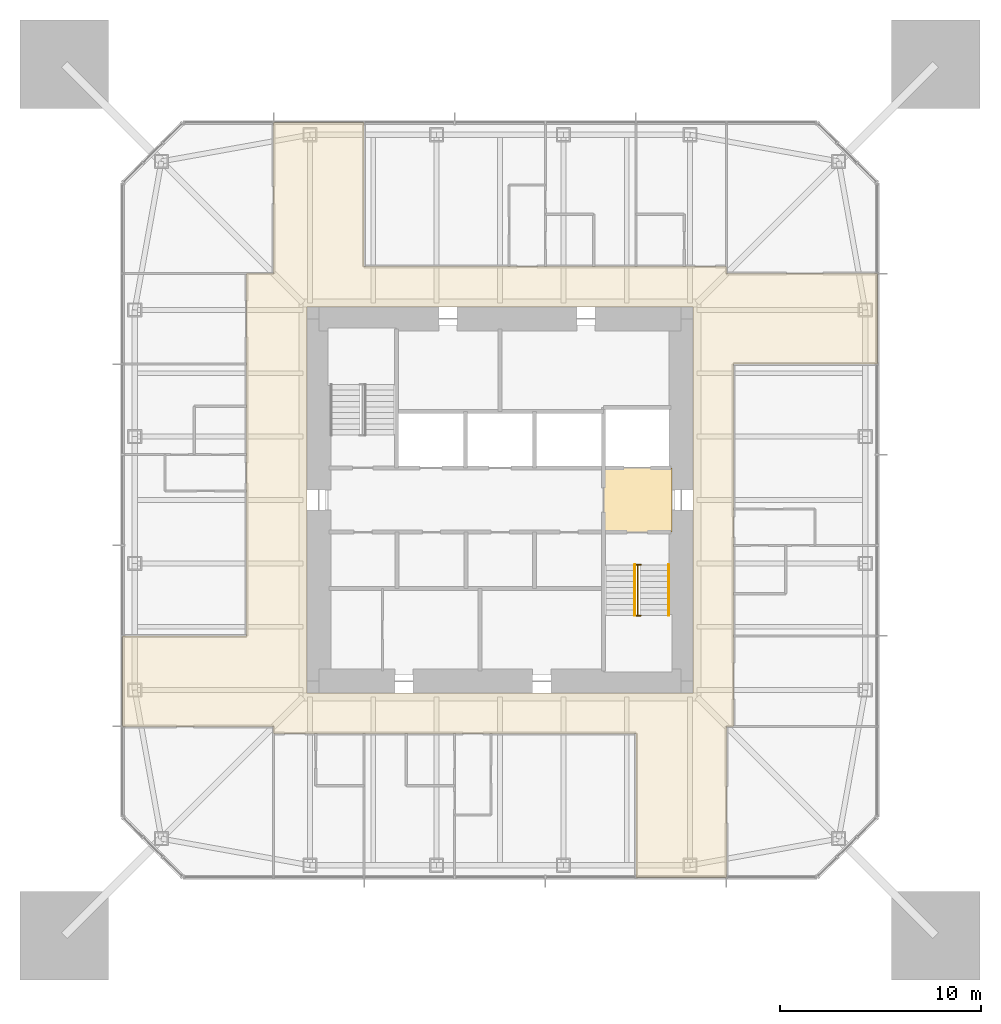
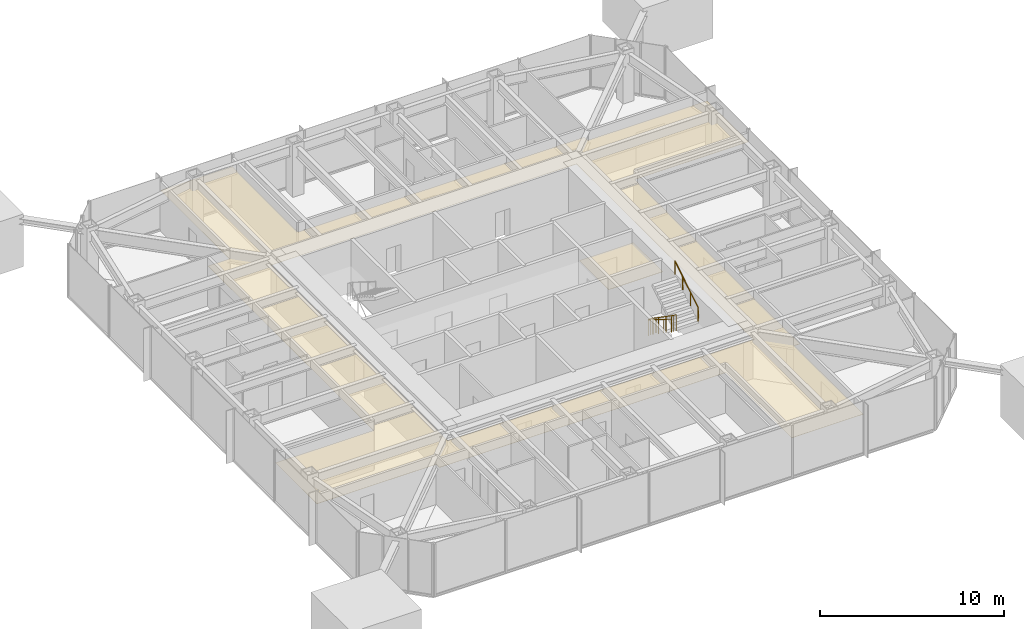
# One storey, part 10 of 11: 3 railings, 2 coverings.
"""IFC4 building model written with IfcOpenShell, lengths in metres."""

from ifc_helpers import new_model, si_unit, direction, frame, origin, origin_2d, place, context, subcontext, project, spatial, polyline, circle, outline, extrude, material, layer, layer_set, constituent, constituent_set, type_object, element, save


model = new_model("IFC4")

# Units and contexts
model_context = context("Model", 3, precision=1e-05, world=origin(), true_north=direction((0.0, 1.0)))
body_context = subcontext(model_context, "Body", "Model", "MODEL_VIEW")
ifc_project = project(units=[si_unit("LENGTHUNIT", "METRE"), si_unit("AREAUNIT", "SQUARE_METRE"), si_unit("VOLUMEUNIT", "CUBIC_METRE"), si_unit("PLANEANGLEUNIT", "RADIAN"), si_unit("MASSUNIT", "GRAM", prefix="KILO")], contexts=[model_context])

# Site, building, storey
site_placement = place(None, origin())
site = spatial("IfcSite", under=ifc_project, at=site_placement, CompositionType="ELEMENT")
building_placement = place(site_placement, origin())
building = spatial("IfcBuilding", under=site, at=building_placement, Name="Iwan Alto Co-Living Towers", CompositionType="ELEMENT")
storey_placement = place(building_placement, frame((0.0, 0.0, 188.0)))
storey = spatial("IfcBuildingStorey", under=building, at=storey_placement, Name="L51", CompositionType="ELEMENT", Elevation=188.0)

# Covering
ifc_material_1 = material(Name="Mineral fibre acoustic tiles on steel grid", Category="steel")
ifc_layer_1 = layer(ifc_material_1, 0.02001953125)
ifc_layer_set_1 = layer_set([ifc_layer_1], Name="ACOUSTIC TILE CEILING 20")
covering_type_1 = type_object("IfcCoveringType", Name="ACOUSTIC TILE CEILING 20", PredefinedType="CEILING", material=ifc_layer_set_1)
covering_1_placement = place(storey_placement, frame((0.0, 0.0, 2.60009765625)))
element("IfcCovering", 1, at=covering_1_placement, inside=storey, type_object=covering_type_1, Name="Ceiling Firefighting lobby L51", PredefinedType="CEILING", context=body_context, shape_type="SweptSolid", body=[
    extrude(outline(polyline([(5.14990234375, -1.60009765625), (5.14990234375, 1.60009765625), (8.550048828125, 1.60009765625), (8.550048828125, -1.60009765625), (5.14990234375, -1.60009765625)])), origin(), (0.0, 0.0, 1.0), 0.02001953125),
])

# Railings
ifc_material_2 = material(Name="Steel ASTM A500 Gr C", Category="steel")
ifc_constituent_1 = constituent(ifc_material_2, Name="Rails and posts", Category="Framing")
ifc_material_3 = material(Name="Steel ASTM A36", Category="steel")
ifc_constituent_2 = constituent(ifc_material_3, Name="Bar infill", Category="Infill")
ifc_constituent_set = constituent_set(constituents=[ifc_constituent_1, ifc_constituent_2], Name="STAIR GUARD 1100")
railing_type_1 = type_object("IfcRailingType", Name="STAIR GUARD 1100", PredefinedType="GUARDRAIL", material=ifc_constituent_set)
railing_1_placement = place(storey_placement, frame((6.85009765625, -3.219970703125, 0.0)))
element("IfcRailing", 2, at=railing_1_placement, inside=storey, type_object=railing_type_1, Name="Stair T1-S2 well guard L51", PredefinedType="GUARDRAIL", context=body_context, shape_type="SweptSolid", body=[
    extrude(circle(Radius=0.02392578125, at=origin_2d()), frame((0.0, 0.0, 1.076171875), z_axis=(0.0, -0.821372036852, 0.570392826987), x_axis=(1.0, 0.0, 0.0)), (0.0, 0.0, 1.0), 3.068115234375),
    extrude(circle(Radius=0.02392578125, at=origin_2d()), frame((-0.150146484375, 0.0, 1.076171875), z_axis=(1.0, 0.0, 0.0), x_axis=(0.0, 1.0, 0.0)), (0.0, 0.0, 1.0), 0.300048828125),
    extrude(circle(Radius=0.02392578125, at=origin_2d()), frame((-0.150146484375, -2.52001953125, 2.826171875), z_axis=(1.0, 0.0, 0.0), x_axis=(0.0, 1.0, 0.0)), (0.0, 0.0, 1.0), 0.300048828125),
    extrude(circle(Radius=0.02099609375, at=origin_2d()), origin(), (0.0, 0.0, 1.0), 1.052001953125),
    extrude(circle(Radius=0.02099609375, at=origin_2d()), frame((0.0, -0.840087890625, 0.583251953125)), (0.0, 0.0, 1.0), 1.052001953125),
    extrude(circle(Radius=0.02099609375, at=origin_2d()), frame((0.0, -1.679931640625, 1.166748046875)), (0.0, 0.0, 1.0), 1.052001953125),
    extrude(circle(Radius=0.02099609375, at=origin_2d()), frame((0.0, -2.52001953125, 1.75)), (0.0, 0.0, 1.0), 1.052001953125),
    extrude(circle(Radius=0.02099609375, at=origin_2d()), frame((-0.150146484375, 0.0, 0.0)), (0.0, 0.0, 1.0), 1.052001953125),
    extrude(circle(Radius=0.02099609375, at=origin_2d()), frame((0.14990234375, 0.0, 0.0)), (0.0, 0.0, 1.0), 1.052001953125),
    extrude(circle(Radius=0.02099609375, at=origin_2d()), frame((-0.150146484375, -2.52001953125, 1.75)), (0.0, 0.0, 1.0), 1.052001953125),
    extrude(circle(Radius=0.02099609375, at=origin_2d()), frame((0.14990234375, -2.52001953125, 1.75)), (0.0, 0.0, 1.0), 1.052001953125),
])
ifc_material_4 = material(Name="Steel ASTM A500 Gr C", Category="steel")
railing_type_2 = type_object("IfcRailingType", Name="STAIR HANDRAIL 900", PredefinedType="HANDRAIL", material=ifc_material_4)
railing_2_placement = place(storey_placement, frame((6.699951171875, -3.219970703125, 0.175048828125)))
element("IfcRailing", 3, at=railing_2_placement, inside=storey, type_object=railing_type_2, Name="Stair T1-S2 handrail 1 L51", PredefinedType="HANDRAIL", context=body_context, shape_type="SweptSolid", body=[
    extrude(circle(Radius=0.02392578125, at=origin_2d()), frame((0.0, 0.0, 0.8759765625), z_axis=(0.0, -0.848007534815, 0.529984170421), x_axis=(1.0, 0.0, 0.0)), (0.0, 0.0, 1.0), 2.9716796875),
    extrude(circle(Radius=0.02099609375, at=origin_2d()), origin(), (0.0, 0.0, 1.0), 0.851806640625),
    extrude(circle(Radius=0.02099609375, at=origin_2d()), frame((0.0, -0.840087890625, 0.52490234375)), (0.0, 0.0, 1.0), 0.851806640625),
    extrude(circle(Radius=0.02099609375, at=origin_2d()), frame((0.0, -1.679931640625, 1.050048828125)), (0.0, 0.0, 1.0), 0.851806640625),
    extrude(circle(Radius=0.02099609375, at=origin_2d()), frame((0.0, -2.52001953125, 1.574951171875)), (0.0, 0.0, 1.0), 0.851806640625),
])
railing_3_placement = place(storey_placement, frame((8.3798828125, -5.739990234375, 1.925048828125)))
element("IfcRailing", 4, at=railing_3_placement, inside=storey, type_object=railing_type_2, Name="Stair T1-S2 handrail 2 L51", PredefinedType="HANDRAIL", context=body_context, shape_type="SweptSolid", body=[
    extrude(circle(Radius=0.02392578125, at=origin_2d()), frame((0.0, 0.0, 0.8759765625), z_axis=(0.0, 0.848007534815, 0.529984170421), x_axis=(-1.0, 0.0, 0.0)), (0.0, 0.0, 1.0), 2.9716796875),
    extrude(circle(Radius=0.02099609375, at=origin_2d()), origin(), (0.0, 0.0, 1.0), 0.851806640625),
    extrude(circle(Radius=0.02099609375, at=origin_2d()), frame((0.0, 0.840087890625, 0.52490234375)), (0.0, 0.0, 1.0), 0.851806640625),
    extrude(circle(Radius=0.02099609375, at=origin_2d()), frame((0.0, 1.679931640625, 1.050048828125)), (0.0, 0.0, 1.0), 0.851806640625),
    extrude(circle(Radius=0.02099609375, at=origin_2d()), frame((0.0, 2.52001953125, 1.574951171875)), (0.0, 0.0, 1.0), 0.851806640625),
])

# Covering
ifc_material_5 = material(Name="Gypsum plasterboard on steel grid", Category="steel")
ifc_layer_2 = layer(ifc_material_5, 0.014892578125)
ifc_layer_set_2 = layer_set([ifc_layer_2], Name="SUSPENDED PLASTERBOARD CEILING 15")
covering_type_2 = type_object("IfcCoveringType", Name="SUSPENDED PLASTERBOARD CEILING 15", PredefinedType="CEILING", material=ifc_layer_set_2)
covering_2_placement = place(storey_placement, frame((0.0, 0.0, 2.60009765625)))
element("IfcCovering", 5, at=covering_2_placement, inside=storey, type_object=covering_type_2, Name="Ceiling Corridor L51", PredefinedType="CEILING", context=body_context, shape_type="SweptSolid", body=[
    extrude(outline(polyline([(-18.75, -6.75), (-12.60009765625, -6.75), (-12.60009765625, 11.25), (-11.25, 11.25), (-11.25, 11.60009765625), (-11.25, 18.75), (-6.75, 18.75), (-6.75, 11.60009765625), (11.25, 11.60009765625), (11.25, 11.25), (11.60009765625, 11.25), (18.75, 11.25), (18.75, 6.75), (11.60009765625, 6.75), (11.60009765625, -11.25), (11.25, -11.25), (11.25, -11.60009765625), (11.25, -18.75), (6.75, -18.75), (6.75, -11.60009765625), (-11.25, -11.60009765625), (-11.25, -11.25), (-12.60009765625, -11.25), (-18.75, -11.25), (-18.75, -6.75)]), holes=[polyline([(9.60009765625, 9.60009765625), (-9.60009765625, 9.60009765625), (-9.60009765625, -9.60009765625), (9.60009765625, -9.60009765625), (9.60009765625, 9.60009765625)])]), origin(), (0.0, 0.0, 1.0), 0.014892578125),
])

save(model, "model.ifc")
